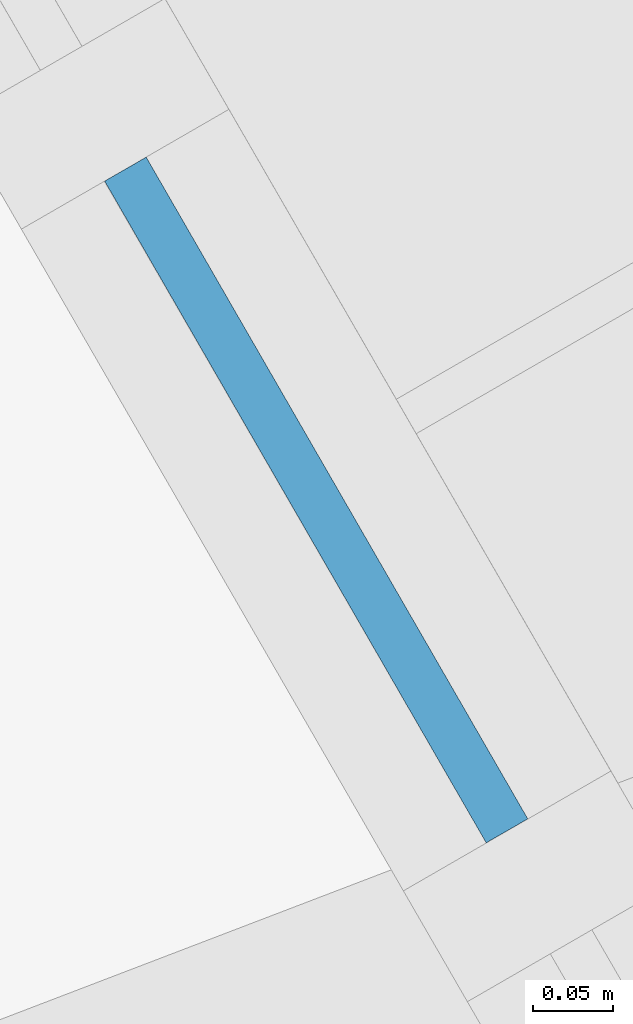
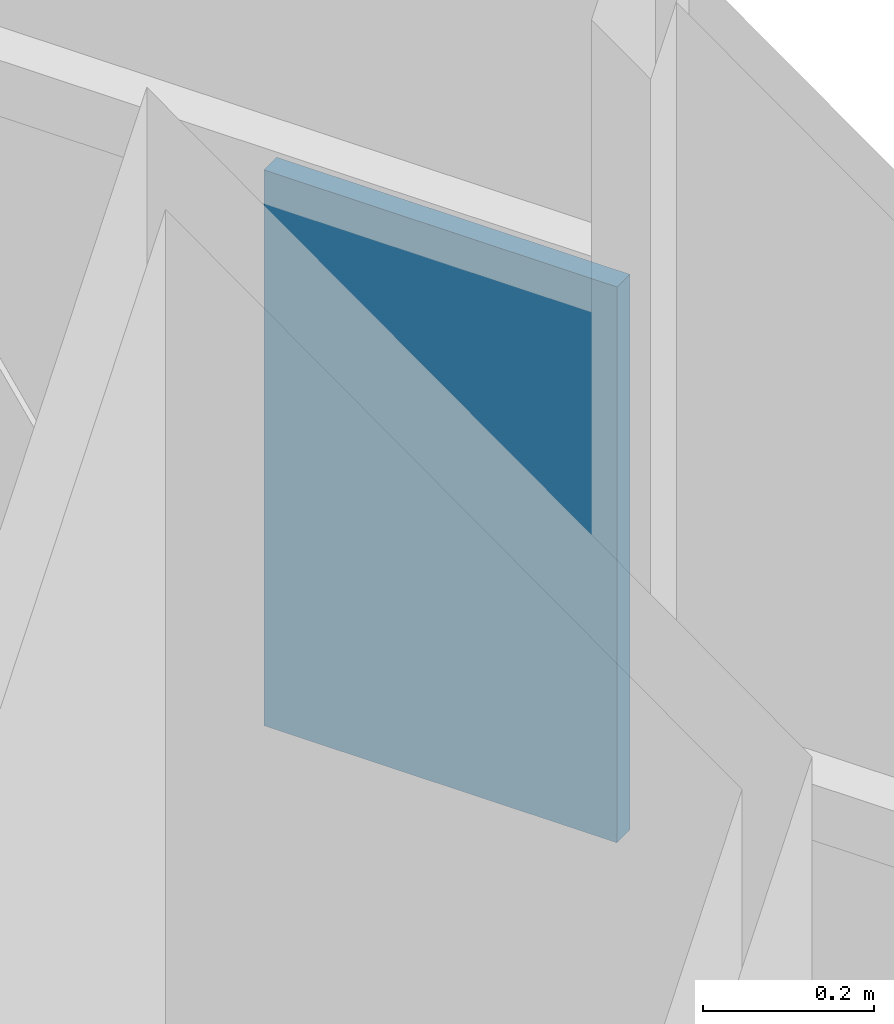
# One storey, part 17 of 24: 1 plate, 1 element without a shape of its own.
"""IFC4 building model written with IfcOpenShell, lengths in metres."""

from ifc_helpers import new_model, si_unit, direction, frame, origin, place, context, subcontext, project, spatial, polyline, outline, extrude, material, layer, layer_set, type_object, element, aggregate, save


model = new_model("IFC4")

# Units and contexts
model_context = context("Model", 3, precision=1e-05, world=origin(), true_north=direction((0.0, 1.0)))
body_context = subcontext(model_context, "Body", "Model", "MODEL_VIEW")
ifc_project = project(units=[si_unit("LENGTHUNIT", "METRE"), si_unit("AREAUNIT", "SQUARE_METRE"), si_unit("VOLUMEUNIT", "CUBIC_METRE"), si_unit("PLANEANGLEUNIT", "RADIAN"), si_unit("MASSUNIT", "GRAM", prefix="KILO")], contexts=[model_context])

# Site, building, storey
site_placement = place(None, origin())
site = spatial("IfcSite", under=ifc_project, at=site_placement, CompositionType="ELEMENT")
building_placement = place(site_placement, origin())
building = spatial("IfcBuilding", under=site, at=building_placement, Name="Firuza Gate Tower and Library", CompositionType="ELEMENT")
storey_placement = place(building_placement, frame((0.0, 0.0, 323.10009765625)))
storey = spatial("IfcBuildingStorey", under=building, at=storey_placement, Name="L79", CompositionType="ELEMENT", Elevation=323.10009765625)

# Curtain wall, plate
ifc_material_1 = material(Name="Aluminium 6063-T6", Category="aluminium")
ifc_layer_1 = layer(ifc_material_1, 0.14990234375)
ifc_layer_set_1 = layer_set([ifc_layer_1], Name="Unitised curtain wall, residences")
curtain_wall_type = type_object("IfcCurtainWallType", Name="Unitised curtain wall, residences", PredefinedType="NOTDEFINED", material=ifc_layer_set_1)
curtain_wall_placement = place(storey_placement, origin())
curtain_wall = element("IfcCurtainWall", 1, at=curtain_wall_placement, inside=storey, type_object=curtain_wall_type, Name="CW3 L79 E face", PredefinedType="NOTDEFINED")
ifc_material_2 = material(Name="Fritted glass", Category="glass")
ifc_layer_2 = layer(ifc_material_2, 0.030029296875)
ifc_layer_set_2 = layer_set([ifc_layer_2], Name="Fritted glass unit, residences")
plate_type = type_object("IfcPlateType", Name="Fritted glass unit, residences", PredefinedType="CURTAIN_PANEL", material=ifc_layer_set_2)
plate_placement = place(storey_placement, frame((93.027099609375, 75.48388671875, 1.489990234375), z_axis=(0.866287611166, 0.499545568232, 0.0), x_axis=(-0.499545568232, 0.866287611166, 0.0)))
plate = element("IfcPlate", 2, at=plate_placement, type_object=plate_type, Name="Glass unit", PredefinedType="CURTAIN_PANEL", context=body_context, shape_type="SweptSolid", body=[
    extrude(outline(polyline([(0.0, 0.0), (0.477973475163209, 0.0), (0.477973475163209, 0.794921875), (0.0, 0.794921875), (0.0, 0.0)])), origin(), (0.0, 0.0, -1.0), 0.030029296875),
])
aggregate(curtain_wall, [plate])

save(model, "model.ifc")
